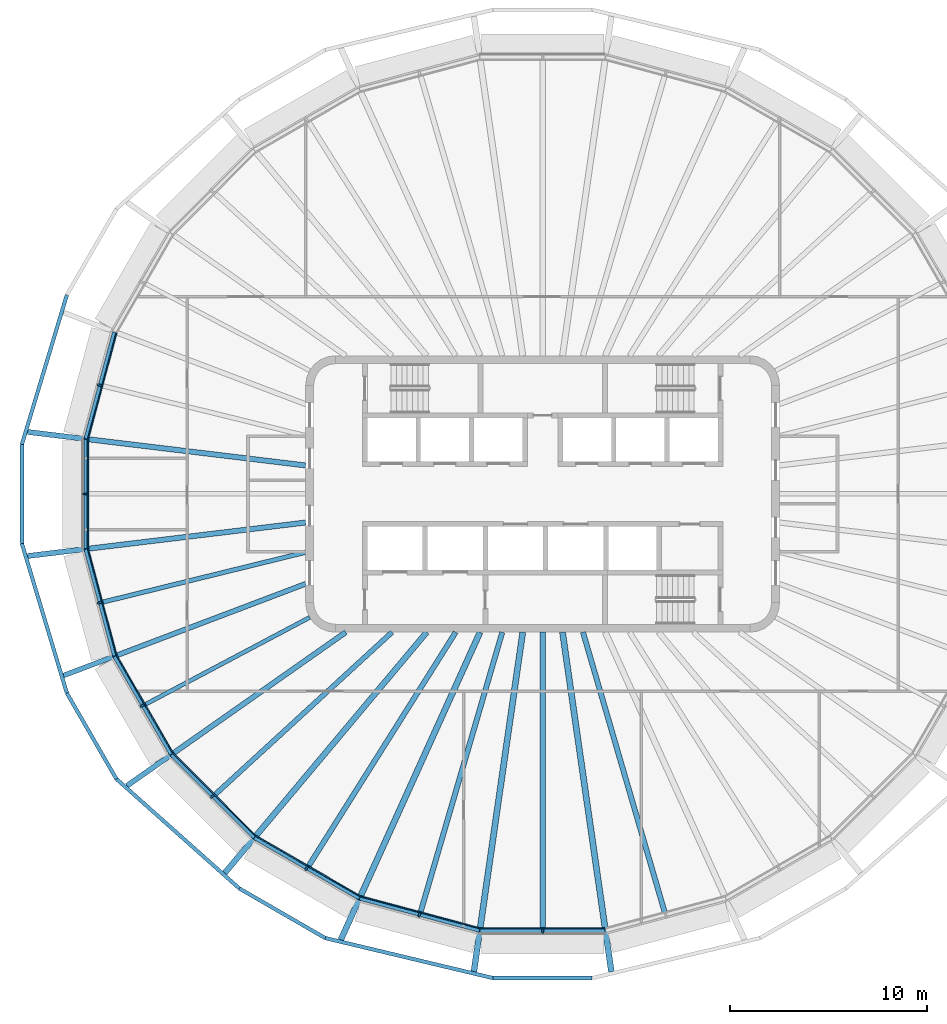
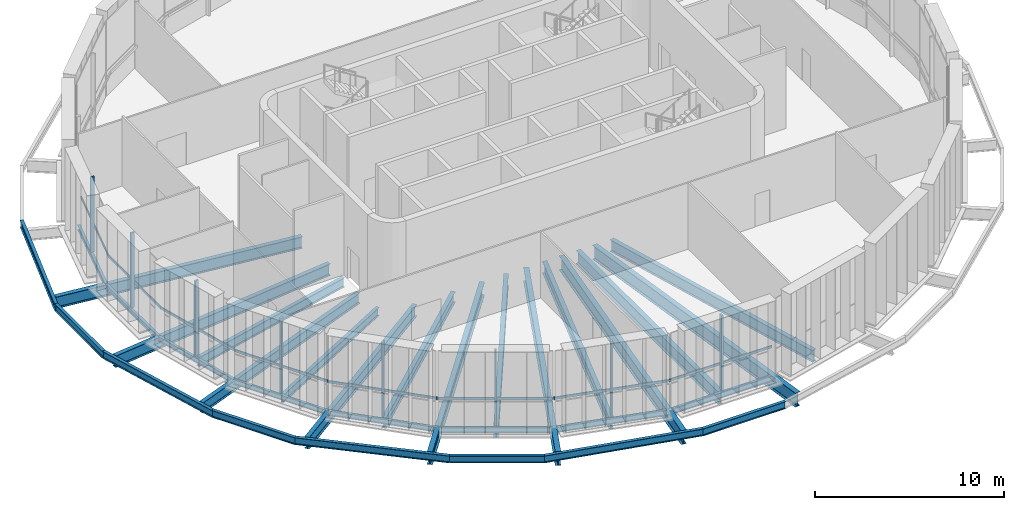
# One storey, part 1 of 16: 31 beams, 16 members, 8 elements without a shape of their own.
"""IFC4 building model written with IfcOpenShell, lengths in metres."""

import ifcopenshell
import ifcopenshell.guid

model = None  # the IFC model being written
_history = None  # IfcOwnerHistory: only IFC2X3 demands one
_inside = {}  # id of a spatial element -> (the spatial element, [elements in it])
_under = {}  # id of a project, library or spatial element -> (it, [spatial elements below it])
_declared = {}  # id of a project -> (the project, [libraries it declares])
_typed = {}  # id of a type object -> (the type object, [elements of that type])
_made_of = {}  # id of a material, layer set ... -> (it, [elements and type objects made of it])


def new_model(schema):
    """Start an empty IFC model of exactly this schema.

    Asked for "IFC4X3", IfcOpenShell would pick the latest addendum, in which some entities
    have other attributes; the version numbers below select the first issue.
    IFC2X3 requires an IfcOwnerHistory on every rooted entity: one is made here for all.
    """
    global model, _history
    if schema == "IFC4X3":
        model = ifcopenshell.file(schema_version=(4, 3, 0, 0))
    else:
        model = ifcopenshell.file(schema=schema)
    _inside.clear()
    _under.clear()
    _declared.clear()
    _typed.clear()
    _made_of.clear()
    _history = None
    if model.schema == "IFC2X3":
        org = make("IfcOrganization", Name="unknown")
        user = make(
            "IfcPersonAndOrganization",
            ThePerson=make("IfcPerson", FamilyName="unknown"),
            TheOrganization=org,
        )
        app = make(
            "IfcApplication",
            ApplicationDeveloper=org,
            Version="unknown",
            ApplicationFullName="unknown",
            ApplicationIdentifier="unknown",
        )
        _history = make(
            "IfcOwnerHistory",
            OwningUser=user,
            OwningApplication=app,
            ChangeAction="ADDED",
            CreationDate=0,
        )
    return model


def make(cls, **values):
    """One entity of the class cls with the attributes given. An attribute that is None is left unset."""
    return model.create_entity(
        cls, **{name: value for name, value in values.items() if value is not None}
    )


def rooted(cls, **values):
    """An entity with a GlobalId (a new one), such as an element, a storey or a relation."""
    return make(cls, GlobalId=ifcopenshell.guid.new(), OwnerHistory=_history, **values)


def si_unit(unit_type, name, prefix=None):
    """IfcSIUnit, for example si_unit("LENGTHUNIT", "METRE", prefix="MILLI")."""
    return make("IfcSIUnit", UnitType=unit_type, Prefix=prefix, Name=name)


def assignment(units):
    """IfcUnitAssignment: the units of a project."""
    return None if units is None else make("IfcUnitAssignment", Units=units)


def point(xyz):
    """IfcCartesianPoint."""
    return None if xyz is None else make("IfcCartesianPoint", Coordinates=xyz)


def direction(xyz):
    """IfcDirection."""
    return None if xyz is None else make("IfcDirection", DirectionRatios=xyz)


def frame(location, z_axis=None, x_axis=None):
    """IfcAxis2Placement3D, a coordinate frame: its origin and axes. An axis left out is left unset."""
    return make(
        "IfcAxis2Placement3D",
        Location=point(location),
        Axis=direction(z_axis),
        RefDirection=direction(x_axis),
    )


def frame_2d(location, x_axis=None):
    """IfcAxis2Placement2D, a coordinate frame in the plane: its origin and x axis."""
    return make(
        "IfcAxis2Placement2D", Location=point(location), RefDirection=direction(x_axis)
    )


def origin():
    """The frame at (0, 0, 0) with its axes left unset."""
    return frame((0.0, 0.0, 0.0))


def origin_2d():
    """The frame at (0, 0) in the plane with its x axis left unset."""
    return frame_2d((0.0, 0.0))


def place(relative_to, where):
    """IfcLocalPlacement: puts the frame where relative to a parent placement (None: the world)."""
    return make(
        "IfcLocalPlacement", PlacementRelTo=relative_to, RelativePlacement=where
    )


def context(
    kind, dimensions, precision=None, world=None, true_north=None, identifier=None
):
    """IfcGeometricRepresentationContext, for example the 3D "Model" context."""
    return make(
        "IfcGeometricRepresentationContext",
        ContextIdentifier=identifier,
        ContextType=kind,
        CoordinateSpaceDimension=dimensions,
        Precision=precision,
        WorldCoordinateSystem=world,
        TrueNorth=true_north,
    )


def subcontext(parent, identifier, kind, view, scale=None):
    """IfcGeometricRepresentationSubContext, for example "Body" below "Model"."""
    return make(
        "IfcGeometricRepresentationSubContext",
        ContextIdentifier=identifier,
        ContextType=kind,
        ParentContext=parent,
        TargetScale=scale,
        TargetView=view,
    )


def project(units=None, contexts=None):
    """IfcProject with its units and contexts."""
    return rooted(
        "IfcProject",
        Name="project",
        RepresentationContexts=contexts,
        UnitsInContext=assignment(units),
    )


def spatial(cls, under=None, at=None, **own):
    """A site, building, storey or space (cls), placed at a placement, below another one or the project."""
    s = rooted(cls, ObjectPlacement=at, **own)
    if under is not None:
        _under.setdefault(under.id(), (under, []))[1].append(s)
    return s


def profile(cls, at=None, kind="AREA", **sizes):
    """A parametric profile (cls). Its sizes go by their IFC names, for example OverallWidth=200.0."""
    return make(cls, ProfileType=kind, Position=at, **sizes)


def rectangle(**sizes):
    """IfcRectangleProfileDef."""
    return profile("IfcRectangleProfileDef", **sizes)


def i_section(**sizes):
    """IfcIShapeProfileDef."""
    return profile("IfcIShapeProfileDef", **sizes)


def extrude(swept, where, along, depth):
    """IfcExtrudedAreaSolid: the profile swept, set in the frame where, extruded along a direction by depth."""
    return make(
        "IfcExtrudedAreaSolid",
        SweptArea=swept,
        Position=where,
        ExtrudedDirection=direction(along),
        Depth=depth,
    )


def shape(context_of_items, identifier, shape_type, items):
    """IfcShapeRepresentation: the items that make up one representation, for example the "Body"."""
    return make(
        "IfcShapeRepresentation",
        ContextOfItems=context_of_items,
        RepresentationIdentifier=identifier,
        RepresentationType=shape_type,
        Items=items,
    )


def material(Name=None, Category=None):
    """IfcMaterial."""
    return make("IfcMaterial", Name=Name, Category=Category)


def layer(
    of_material, thickness, ventilated=None, Name=None, Category=None, Priority=None
):
    """IfcMaterialLayer: one layer of a wall or slab, of a material (None: an air gap)."""
    return make(
        "IfcMaterialLayer",
        Material=of_material,
        LayerThickness=thickness,
        IsVentilated=ventilated,
        Name=Name,
        Category=Category,
        Priority=Priority,
    )


def layer_set(layers, Name=None):
    """IfcMaterialLayerSet."""
    return make("IfcMaterialLayerSet", MaterialLayers=layers, LayerSetName=Name)


def material_profile(
    of_material, cross_section, Name=None, Category=None, Priority=None
):
    """IfcMaterialProfile: a cross section and its material."""
    return make(
        "IfcMaterialProfile",
        Name=Name,
        Material=of_material,
        Profile=cross_section,
        Priority=Priority,
        Category=Category,
    )


def profile_set(profiles, Name=None, composite=None):
    """IfcMaterialProfileSet."""
    return make(
        "IfcMaterialProfileSet",
        Name=Name,
        MaterialProfiles=profiles,
        CompositeProfile=composite,
    )


def made_of(thing, what):
    """Note that an element or type object is made of a material, layer set ...; save() writes the relation."""
    if what is not None:
        _made_of.setdefault(what.id(), (what, []))[1].append(thing)
    return thing


def type_object(cls, material=None, **own):
    """A type object (cls), such as IfcWallType, which elements share."""
    return made_of(rooted(cls, **own), material)


def element(
    cls,
    number,
    at=None,
    inside=None,
    cuts=None,
    type_object=None,
    material=None,
    context=None,
    identifier="Body",
    shape_type=None,
    held_by="IfcProductDefinitionShape",
    body=None,
    shapes=None,
    **own,
):
    """One element of the class cls, such as IfcWall. Its Tag is "e" and its number.

    at: its placement. inside: the storey or other place that contains it. cuts: it is an
    opening in that element (IfcRelVoidsElement). A single representation is given by context,
    identifier, shape_type and body (its items); several are given by shapes. held_by: the class
    of the entity that holds the representations. save() writes the other relations.
    """
    e = rooted(cls, Tag="e%d" % number, ObjectPlacement=at, **own)
    if body is not None:
        shapes = [shape(context, identifier, shape_type, body)]
    if shapes is not None:
        e.Representation = make(held_by, Representations=shapes)
    if inside is not None:
        _inside.setdefault(inside.id(), (inside, []))[1].append(e)
    if cuts is not None:
        rooted(
            "IfcRelVoidsElement", RelatingBuildingElement=cuts, RelatedOpeningElement=e
        )
    if type_object is not None:
        _typed.setdefault(type_object.id(), (type_object, []))[1].append(e)
    return made_of(e, material)


def aggregate(whole, parts):
    """IfcRelAggregates: a whole, such as a stair, and the parts it consists of."""
    return rooted("IfcRelAggregates", RelatingObject=whole, RelatedObjects=parts)


def save(model, path):
    """Write the relations noted so far, then the file.

    IfcRelAggregates (storeys below a building ...), IfcRelContainedInSpatialStructure (elements
    in a storey), IfcRelDefinesByType, IfcRelAssociatesMaterial and IfcRelDeclares: one each for
    every whole, place, type object, material and project.
    """
    for whole, parts in _under.values():
        aggregate(whole, parts)
    for where, things in _inside.values():
        rooted(
            "IfcRelContainedInSpatialStructure",
            RelatedElements=things,
            RelatingStructure=where,
        )
    for kind, things in _typed.values():
        rooted("IfcRelDefinesByType", RelatedObjects=things, RelatingType=kind)
    for what, things in _made_of.values():
        rooted("IfcRelAssociatesMaterial", RelatedObjects=things, RelatingMaterial=what)
    for by, libraries in _declared.values():
        rooted("IfcRelDeclares", RelatingContext=by, RelatedDefinitions=libraries)
    model.write(path)


model = new_model("IFC4")

# Units and contexts
model_context = context("Model", 3, precision=1e-05, world=origin(), true_north=direction((0.0, 1.0)))
body_context = subcontext(model_context, "Body", "Model", "MODEL_VIEW")
ifc_project = project(units=[si_unit("LENGTHUNIT", "METRE"), si_unit("AREAUNIT", "SQUARE_METRE"), si_unit("VOLUMEUNIT", "CUBIC_METRE"), si_unit("PLANEANGLEUNIT", "RADIAN"), si_unit("MASSUNIT", "GRAM", prefix="KILO")], contexts=[model_context])

# Site, building, storey
site_placement = place(None, origin())
site = spatial("IfcSite", under=ifc_project, at=site_placement, CompositionType="ELEMENT")
building_placement = place(site_placement, origin())
building = spatial("IfcBuilding", under=site, at=building_placement, Name="Sahrelin Media Tower", CompositionType="ELEMENT")
storey_placement = place(building_placement, frame((0.0, 0.0, 324.39990234375)))
storey = spatial("IfcBuildingStorey", under=building, at=storey_placement, Name="L72", CompositionType="ELEMENT", Elevation=324.39990234375)

# Beams
ifc_material_1 = material(Name="Steel S355", Category="steel")
ifc_material_profile_1 = material_profile(ifc_material_1, i_section(OverallWidth=0.1650390625, OverallDepth=0.303466796875, WebThickness=0.006103515625, FlangeThickness=0.01025390625, FilletRadius=0.0087890625, at=origin_2d()), Name="UB 305x165x40")
ifc_profile_set_1 = profile_set([ifc_material_profile_1], Name="Steel S355")
beam_type_1 = type_object("IfcBeamType", Name="Edge beam EB2", PredefinedType="BEAM", material=ifc_profile_set_1)
beam_1_placement = place(storey_placement, frame((-14.618896484375, -17.3984375, -0.301513671875), z_axis=(-0.707127398047, 0.707086163725, 0.0), x_axis=(-0.707086163725, -0.707127398047, 0.0)))
element("IfcBeam", 1, at=beam_1_placement, inside=storey, type_object=beam_type_1, Name="Edge beam L72-10", PredefinedType="BEAM", context=body_context, shape_type="SweptSolid", body=[
    extrude(i_section(OverallWidth=0.1650390625, OverallDepth=0.303466796875, WebThickness=0.006103515625, FlangeThickness=0.01025390625, FilletRadius=0.0087890625, at=origin_2d()), origin(), (0.0, 0.0, 1.0), 5.9208984375),
])
beam_2_placement = place(storey_placement, frame((-18.822998046875, -13.18896484375, -0.301513671875), z_axis=(-0.500031155639, 0.86600741532, 0.0), x_axis=(-0.86600741532, -0.500031155639, 0.0)))
element("IfcBeam", 2, at=beam_2_placement, inside=storey, type_object=beam_type_1, Name="Edge beam L72-11", PredefinedType="BEAM", context=body_context, shape_type="SweptSolid", body=[
    extrude(i_section(OverallWidth=0.1650390625, OverallDepth=0.303466796875, WebThickness=0.006103515625, FlangeThickness=0.01025390625, FilletRadius=0.0087890625, at=origin_2d()), origin(), (0.0, 0.0, 1.0), 5.727783203125),
])
beam_3_placement = place(storey_placement, frame((-21.697998046875, -8.2021484375, -0.301513671875), z_axis=(-0.258803734123, 0.965929928724, 0.0), x_axis=(-0.965929928724, -0.258803734123, 0.0)))
element("IfcBeam", 3, at=beam_3_placement, inside=storey, type_object=beam_type_1, Name="Edge beam L72-12", PredefinedType="BEAM", context=body_context, shape_type="SweptSolid", body=[
    extrude(i_section(OverallWidth=0.1650390625, OverallDepth=0.303466796875, WebThickness=0.006103515625, FlangeThickness=0.01025390625, FilletRadius=0.0087890625, at=origin_2d()), origin(), (0.0, 0.0, 1.0), 5.592041015625),
])
beam_4_placement = place(storey_placement, frame((-23.149169921875, -2.77197265625, -0.301513671875), z_axis=(0.0, 1.0, 0.0), x_axis=(-1.0, 0.0, 0.0)))
element("IfcBeam", 4, at=beam_4_placement, inside=storey, type_object=beam_type_1, Name="Edge beam L72-13", PredefinedType="BEAM", context=body_context, shape_type="SweptSolid", body=[
    extrude(i_section(OverallWidth=0.1650390625, OverallDepth=0.303466796875, WebThickness=0.006103515625, FlangeThickness=0.01025390625, FilletRadius=0.0087890625, at=origin_2d()), origin(), (0.0, 0.0, 1.0), 5.5439453125),
])
beam_5_placement = place(storey_placement, frame((-23.145263671875, 2.800537109375, -0.301513671875), z_axis=(0.258803734123, 0.965929928724, 0.0), x_axis=(-0.965929928724, 0.258803734123, 0.0)))
element("IfcBeam", 5, at=beam_5_placement, inside=storey, type_object=beam_type_1, Name="Edge beam L72-14", PredefinedType="BEAM", context=body_context, shape_type="SweptSolid", body=[
    extrude(i_section(OverallWidth=0.1650390625, OverallDepth=0.303466796875, WebThickness=0.006103515625, FlangeThickness=0.01025390625, FilletRadius=0.0087890625, at=origin_2d()), origin(), (0.0, 0.0, 1.0), 5.592041015625),
])
ifc_material_profile_2 = material_profile(ifc_material_1, i_section(OverallWidth=0.17138671875, OverallDepth=0.35498046875, WebThickness=0.00732421875, FlangeThickness=0.011474609375, FilletRadius=0.01025390625, at=origin_2d()), Name="UB 356x171x51")
ifc_profile_set_2 = profile_set([ifc_material_profile_2], Name="Steel S355")
beam_type_2 = type_object("IfcBeamType", Name="Edge beam EB3", PredefinedType="BEAM", material=ifc_profile_set_2)
beam_6_placement = place(storey_placement, frame((3.169921875, -22.118896484375, -0.327392578125), z_axis=(-1.0, 0.0, 0.0), x_axis=(0.0, -1.0, 0.0)))
element("IfcBeam", 6, at=beam_6_placement, inside=storey, type_object=beam_type_2, Name="Edge beam L72-07", PredefinedType="BEAM", context=body_context, shape_type="SweptSolid", body=[
    extrude(i_section(OverallWidth=0.17138671875, OverallDepth=0.35498046875, WebThickness=0.00732421875, FlangeThickness=0.011474609375, FilletRadius=0.01025390625, at=origin_2d()), origin(), (0.0, 0.0, 1.0), 6.33984375),
])
beam_7_placement = place(storey_placement, frame((-3.198486328125, -22.114990234375, -0.327392578125), z_axis=(-0.965931048649, 0.258799554202, 0.0), x_axis=(-0.258799554202, -0.965931048649, 0.0)))
element("IfcBeam", 7, at=beam_7_placement, inside=storey, type_object=beam_type_2, Name="Edge beam L72-08", PredefinedType="BEAM", context=body_context, shape_type="SweptSolid", body=[
    extrude(i_section(OverallWidth=0.17138671875, OverallDepth=0.35498046875, WebThickness=0.00732421875, FlangeThickness=0.011474609375, FilletRadius=0.01025390625, at=origin_2d()), origin(), (0.0, 0.0, 1.0), 6.28076171875),
])
beam_8_placement = place(storey_placement, frame((-9.2919921875, -20.478515625, -0.327392578125), z_axis=(-0.866016979766, 0.500014590545, 0.0), x_axis=(-0.500014590545, -0.866016979766, 0.0)))
element("IfcBeam", 8, at=beam_8_placement, inside=storey, type_object=beam_type_2, Name="Edge beam L72-09", PredefinedType="BEAM", context=body_context, shape_type="SweptSolid", body=[
    extrude(i_section(OverallWidth=0.17138671875, OverallDepth=0.35498046875, WebThickness=0.00732421875, FlangeThickness=0.011474609375, FilletRadius=0.01025390625, at=origin_2d()), origin(), (0.0, 0.0, 1.0), 6.124755859375),
])

# Curtain wall, member
ifc_material_2 = material(Name="Champagne anodised aluminium 6063-T6", Category="aluminium")
ifc_layer = layer(ifc_material_2, 0.14990234375)
ifc_layer_set = layer_set([ifc_layer], Name="Observation curtain wall")
curtain_wall_type = type_object("IfcCurtainWallType", Name="Observation curtain wall", PredefinedType="NOTDEFINED", material=ifc_layer_set)
curtain_wall_1_placement = place(storey_placement, frame((-22.56640625, 5.540283203125, 0.0), z_axis=(0.0, 0.0, 1.0), x_axis=(1.0, 0.0, 0.0)))
curtain_wall_1 = element("IfcCurtainWall", 9, at=curtain_wall_1_placement, inside=storey, type_object=curtain_wall_type, Name="L72:CW:L72-11", PredefinedType="NOTDEFINED")
ifc_material_profile_3 = material_profile(ifc_material_2, rectangle(XDim=0.10009765625, YDim=0.22509765625, at=origin_2d()), Name="Mullion 100x225")
ifc_profile_set_3 = profile_set([ifc_material_profile_3], Name="Champagne anodised aluminium 6063-T6")
member_type_1 = type_object("IfcMemberType", Name="Mullion 100x225 CW3", PredefinedType="MULLION", material=ifc_profile_set_3)
member_1_placement = place(storey_placement, frame((-22.438720703125, 5.505859375, 0.0), z_axis=(0.0, 0.0, 1.0), x_axis=(-0.258815673384, -0.965926729732, 0.0)))
member_1 = element("IfcMember", 10, at=member_1_placement, type_object=member_type_1, Name="L72:CWM:L72-11", PredefinedType="MULLION", context=body_context, shape_type="SweptSolid", body=[
    extrude(rectangle(XDim=0.10009765625, YDim=0.22509765625, at=origin_2d()), origin(), (0.0, 0.0, 1.0), 4.8486328125),
])

curtain_wall_2_placement = place(storey_placement, frame((-23.299072265625, 0.0, 0.0), z_axis=(0.0, 0.0, 1.0), x_axis=(1.0, 0.0, 0.0)))
curtain_wall_2 = element("IfcCurtainWall", 11, at=curtain_wall_2_placement, inside=storey, type_object=curtain_wall_type, Name="L72:CW:L72-12", PredefinedType="NOTDEFINED")
member_2_placement = place(storey_placement, frame((-23.16650390625, 0.0, 0.0), z_axis=(0.0, 0.0, 1.0), x_axis=(0.0, -1.0, 0.0)))
member_2 = element("IfcMember", 12, at=member_2_placement, type_object=member_type_1, Name="L72:CWM:L72-12", PredefinedType="MULLION", context=body_context, shape_type="SweptSolid", body=[
    extrude(rectangle(XDim=0.10009765625, YDim=0.22509765625, at=origin_2d()), origin(), (0.0, 0.0, 1.0), 4.8486328125),
])

curtain_wall_3_placement = place(storey_placement, frame((-22.56640625, -5.540283203125, 0.0), z_axis=(0.0, 0.0, 1.0), x_axis=(1.0, 0.0, 0.0)))
curtain_wall_3 = element("IfcCurtainWall", 13, at=curtain_wall_3_placement, inside=storey, type_object=curtain_wall_type, Name="L72:CW:L72-13", PredefinedType="NOTDEFINED")
member_3_placement = place(storey_placement, frame((-22.438720703125, -5.505859375, 0.0), z_axis=(0.0, 0.0, 1.0), x_axis=(0.258815673384, -0.965926729732, 0.0)))
member_3 = element("IfcMember", 14, at=member_3_placement, type_object=member_type_1, Name="L72:CWM:L72-13", PredefinedType="MULLION", context=body_context, shape_type="SweptSolid", body=[
    extrude(rectangle(XDim=0.10009765625, YDim=0.22509765625, at=origin_2d()), origin(), (0.0, 0.0, 1.0), 4.8486328125),
])

curtain_wall_4_placement = place(storey_placement, frame((-20.385009765625, -10.783935546875, 0.0), z_axis=(0.0, 0.0, 1.0), x_axis=(1.0, 0.0, 0.0)))
curtain_wall_4 = element("IfcCurtainWall", 15, at=curtain_wall_4_placement, inside=storey, type_object=curtain_wall_type, Name="L72:CW:L72-14", PredefinedType="NOTDEFINED")
member_4_placement = place(storey_placement, frame((-20.270263671875, -10.717529296875, 0.0), z_axis=(0.0, 0.0, 1.0), x_axis=(0.500012091947, -0.866018422383, 0.0)))
member_4 = element("IfcMember", 16, at=member_4_placement, type_object=member_type_1, Name="L72:CWM:L72-14", PredefinedType="MULLION", context=body_context, shape_type="SweptSolid", body=[
    extrude(rectangle(XDim=0.10009765625, YDim=0.22509765625, at=origin_2d()), origin(), (0.0, 0.0, 1.0), 4.8486328125),
])

curtain_wall_5_placement = place(storey_placement, frame((-16.818359375, -15.4111328125, 0.0), z_axis=(0.0, 0.0, 1.0), x_axis=(1.0, 0.0, 0.0)))
curtain_wall_5 = element("IfcCurtainWall", 17, at=curtain_wall_5_placement, inside=storey, type_object=curtain_wall_type, Name="L72:CW:L72-15", PredefinedType="NOTDEFINED")
member_5_placement = place(storey_placement, frame((-16.724609375, -15.3173828125, 0.0), z_axis=(0.0, 0.0, 1.0), x_axis=(0.707098142195, -0.707115420073, 0.0)))
member_5 = element("IfcMember", 18, at=member_5_placement, type_object=member_type_1, Name="L72:CWM:L72-15", PredefinedType="MULLION", context=body_context, shape_type="SweptSolid", body=[
    extrude(rectangle(XDim=0.10009765625, YDim=0.22509765625, at=origin_2d()), origin(), (0.0, 0.0, 1.0), 4.8486328125),
])

curtain_wall_6_placement = place(storey_placement, frame((-12.01904296875, -19.0771484375, 0.0), z_axis=(0.0, 0.0, 1.0), x_axis=(1.0, 0.0, 0.0)))
curtain_wall_6 = element("IfcCurtainWall", 19, at=curtain_wall_6_placement, inside=storey, type_object=curtain_wall_type, Name="L72:CW:L72-16", PredefinedType="NOTDEFINED")
member_6_placement = place(storey_placement, frame((-11.952880859375, -18.96240234375, 0.0), z_axis=(0.0, 0.0, 1.0), x_axis=(0.866026276448, -0.4999984885, 0.0)))
member_6 = element("IfcMember", 20, at=member_6_placement, type_object=member_type_1, Name="L72:CWM:L72-16", PredefinedType="MULLION", context=body_context, shape_type="SweptSolid", body=[
    extrude(rectangle(XDim=0.10009765625, YDim=0.22509765625, at=origin_2d()), origin(), (0.0, 0.0, 1.0), 4.8486328125),
])

curtain_wall_7_placement = place(storey_placement, frame((-6.270751953125, -21.447021484375, 0.0), z_axis=(0.0, 0.0, 1.0), x_axis=(1.0, 0.0, 0.0)))
curtain_wall_7 = element("IfcCurtainWall", 21, at=curtain_wall_7_placement, inside=storey, type_object=curtain_wall_type, Name="L72:CW:L72-17", PredefinedType="NOTDEFINED")
member_7_placement = place(storey_placement, frame((-6.236328125, -21.319091796875, 0.0), z_axis=(0.0, 0.0, 1.0), x_axis=(0.965925374563, -0.258820730961, 0.0)))
member_7 = element("IfcMember", 22, at=member_7_placement, type_object=member_type_1, Name="L72:CWM:L72-17", PredefinedType="MULLION", context=body_context, shape_type="SweptSolid", body=[
    extrude(rectangle(XDim=0.10009765625, YDim=0.22509765625, at=origin_2d()), origin(), (0.0, 0.0, 1.0), 4.8486328125),
])

curtain_wall_8_placement = place(storey_placement, frame((0.0, -22.268798828125, 0.0), z_axis=(0.0, 0.0, 1.0), x_axis=(1.0, 0.0, 0.0)))
curtain_wall_8 = element("IfcCurtainWall", 23, at=curtain_wall_8_placement, inside=storey, type_object=curtain_wall_type, Name="L72:CW:L72-18", PredefinedType="NOTDEFINED")
member_8_placement = place(storey_placement, frame((0.0, -22.13623046875, 0.0), z_axis=(0.0, 0.0, 1.0), x_axis=(1.0, 0.0, 0.0)))
member_8 = element("IfcMember", 24, at=member_8_placement, type_object=member_type_1, Name="L72:CWM:L72-18", PredefinedType="MULLION", context=body_context, shape_type="SweptSolid", body=[
    extrude(rectangle(XDim=0.10009765625, YDim=0.22509765625, at=origin_2d()), origin(), (0.0, 0.0, 1.0), 4.8486328125),
])

# Beams
ifc_material_profile_4 = material_profile(ifc_material_1, i_section(OverallWidth=0.291748046875, OverallDepth=0.8349609375, WebThickness=0.013916015625, FlangeThickness=0.018798828125, FilletRadius=0.017822265625, at=origin_2d()), Name="UB 838x292x176")
ifc_profile_set_4 = profile_set([ifc_material_profile_4], Name="Steel S355")
beam_type_3 = type_object("IfcBeamType", Name="Radial primary beam PB10", PredefinedType="BEAM", material=ifc_profile_set_4)
beam_9_placement = place(storey_placement, frame((-5.87060546875, -7.0, -0.5673828125), z_axis=(-0.642597154572, -0.766204213598, 0.0), x_axis=(0.766204213598, -0.642597154572, 0.0)))
element("IfcBeam", 25, at=beam_9_placement, inside=storey, type_object=beam_type_3, Name="Radial beam L72-16", PredefinedType="BEAM", context=body_context, shape_type="SweptSolid", body=[
    extrude(i_section(OverallWidth=0.291748046875, OverallDepth=0.8349609375, WebThickness=0.013916015625, FlangeThickness=0.018798828125, FilletRadius=0.017822265625, at=origin_2d()), origin(), (0.0, 0.0, 1.0), 15.91357421875),
])
ifc_material_profile_5 = material_profile(ifc_material_1, i_section(OverallWidth=0.30322265625, OverallDepth=0.903076171875, WebThickness=0.01513671875, FlangeThickness=0.020263671875, FilletRadius=0.01904296875, at=origin_2d()), Name="UB 914x305x201")
ifc_profile_set_5 = profile_set([ifc_material_profile_5], Name="Steel S355")
beam_type_4 = type_object("IfcBeamType", Name="Radial primary beam PB11", PredefinedType="BEAM", material=ifc_profile_set_5)
beam_10_placement = place(storey_placement, frame((-3.1689453125, -7.0, -0.601318359375), z_axis=(-0.412422382425, -0.910992743371, 0.0), x_axis=(0.910992743371, -0.412422382425, 0.0)))
element("IfcBeam", 26, at=beam_10_placement, inside=storey, type_object=beam_type_4, Name="Radial beam L72-17", PredefinedType="BEAM", context=body_context, shape_type="SweptSolid", body=[
    extrude(i_section(OverallWidth=0.30322265625, OverallDepth=0.903076171875, WebThickness=0.01513671875, FlangeThickness=0.020263671875, FilletRadius=0.01904296875, at=origin_2d()), origin(), (0.0, 0.0, 1.0), 17.10009765625),
])
for number, where, z_axis, x_axis, name in (
    (27, (-1.007080078125, -7.0, -0.601318359375), (-0.142425148838, -0.989805575342, 0.0), (0.989805575342, -0.142425148838, 0.0), "Radial beam L72-18"),
    (28, (1.007080078125, -7.0, -0.601318359375), (0.142425148838, -0.989805575342, 0.0), (0.989805575342, 0.142425148838, 0.0), "Radial beam L72-19"),
):
    element("IfcBeam", number, at=place(storey_placement, frame(where, z_axis=z_axis, x_axis=x_axis)), inside=storey, type_object=beam_type_4, Name=name, PredefinedType="BEAM", context=body_context, shape_type="SweptSolid", body=[
        extrude(i_section(OverallWidth=0.30322265625, OverallDepth=0.903076171875, WebThickness=0.01513671875, FlangeThickness=0.020263671875, FilletRadius=0.01904296875, at=origin_2d()), origin(), (0.0, 0.0, 1.0), 17.364501953125),
    ])
ifc_material_profile_6 = material_profile(ifc_material_1, i_section(OverallWidth=0.2529296875, OverallDepth=0.677978515625, WebThickness=0.01171875, FlangeThickness=0.01611328125, FilletRadius=0.01513671875, at=origin_2d()), Name="UB 686x254x125")
ifc_profile_set_6 = profile_set([ifc_material_profile_6], Name="Steel S355")
beam_type_5 = type_object("IfcBeamType", Name="Radial primary beam PB8", PredefinedType="BEAM", material=ifc_profile_set_6)
beam_11_placement = place(storey_placement, frame((-12.0, -4.547607421875, -0.489013671875), z_axis=(-0.935113928602, -0.354347203368, 0.0), x_axis=(0.354347203368, -0.935113928602, 0.0)))
element("IfcBeam", 29, at=beam_11_placement, inside=storey, type_object=beam_type_5, Name="Radial beam L72-14", PredefinedType="BEAM", context=body_context, shape_type="SweptSolid", body=[
    extrude(i_section(OverallWidth=0.2529296875, OverallDepth=0.677978515625, WebThickness=0.01171875, FlangeThickness=0.01611328125, FilletRadius=0.01513671875, at=origin_2d()), origin(), (0.0, 0.0, 1.0), 13.11279296875),
])
ifc_material_profile_7 = material_profile(ifc_material_1, i_section(OverallWidth=0.26513671875, OverallDepth=0.75390625, WebThickness=0.0126953125, FlangeThickness=0.017578125, FilletRadius=0.0166015625, at=origin_2d()), Name="UB 762x267x147")
ifc_profile_set_7 = profile_set([ifc_material_profile_7], Name="Steel S355")
beam_type_6 = type_object("IfcBeamType", Name="Radial primary beam PB9", PredefinedType="BEAM", material=ifc_profile_set_7)
for number, where, z_axis, x_axis, name in (
    (30, (-12.0, 1.4453125, -0.52685546875), (-0.992825271685, 0.119574160684, 0.0), (-0.119574160684, -0.992825271685, 0.0), "Radial beam L72-12"),
    (31, (-12.0, -1.4453125, -0.52685546875), (-0.992825271685, -0.119574160684, 0.0), (0.119574160684, -0.992825271685, 0.0), "Radial beam L72-13"),
):
    element("IfcBeam", number, at=place(storey_placement, frame(where, z_axis=z_axis, x_axis=x_axis)), inside=storey, type_object=beam_type_6, Name=name, PredefinedType="BEAM", context=body_context, shape_type="SweptSolid", body=[
        extrude(i_section(OverallWidth=0.26513671875, OverallDepth=0.75390625, WebThickness=0.0126953125, FlangeThickness=0.017578125, FilletRadius=0.0166015625, at=origin_2d()), origin(), (0.0, 0.0, 1.0), 14.18408203125),
    ])
beam_12_placement = place(storey_placement, frame((-9.97119140625, -7.0, -0.52685546875), z_axis=(-0.818447487805, -0.574581334283, 0.0), x_axis=(0.574581334283, -0.818447487805, 0.0)))
element("IfcBeam", 32, at=beam_12_placement, inside=storey, type_object=beam_type_6, Name="Radial beam L72-15", PredefinedType="BEAM", context=body_context, shape_type="SweptSolid", body=[
    extrude(i_section(OverallWidth=0.26513671875, OverallDepth=0.75390625, WebThickness=0.0126953125, FlangeThickness=0.017578125, FilletRadius=0.0166015625, at=origin_2d()), origin(), (0.0, 0.0, 1.0), 13.538330078125),
])
ifc_material_profile_8 = material_profile(ifc_material_1, i_section(OverallWidth=0.291748046875, OverallDepth=0.8349609375, WebThickness=0.013916015625, FlangeThickness=0.018798828125, FilletRadius=0.017822265625, at=origin_2d()), Name="UB 838x292x176")
ifc_profile_set_8 = profile_set([ifc_material_profile_8], Name="Steel S355")
beam_type_7 = type_object("IfcBeamType", Name="Radial secondary beam SB10", PredefinedType="BEAM", material=ifc_profile_set_8)
beam_13_placement = place(storey_placement, frame((0.0, -7.0, -0.5673828125), z_axis=(0.0, -1.0, 0.0), x_axis=(1.0, 0.0, 0.0)))
element("IfcBeam", 33, at=beam_13_placement, inside=storey, type_object=beam_type_7, Name="Secondary beam L72-18", PredefinedType="BEAM", context=body_context, shape_type="SweptSolid", body=[
    extrude(i_section(OverallWidth=0.291748046875, OverallDepth=0.8349609375, WebThickness=0.013916015625, FlangeThickness=0.018798828125, FilletRadius=0.017822265625, at=origin_2d()), origin(), (0.0, 0.0, 1.0), 15.032958984375),
])
ifc_material_profile_9 = material_profile(ifc_material_1, i_section(OverallWidth=0.208740234375, OverallDepth=0.5283203125, WebThickness=0.009521484375, FlangeThickness=0.01318359375, FilletRadius=0.0126953125, at=origin_2d()), Name="UB 533x210x82")
ifc_profile_set_9 = profile_set([ifc_material_profile_9], Name="Steel S355")
beam_type_8 = type_object("IfcBeamType", Name="Radial secondary beam SB6", PredefinedType="BEAM", material=ifc_profile_set_9)
beam_14_placement = place(storey_placement, frame((-11.798583984375, -6.250244140625, -0.4140625), z_axis=(-0.883668821173, -0.468112608767, 0.0), x_axis=(0.468112608767, -0.883668821173, 0.0)))
element("IfcBeam", 34, at=beam_14_placement, inside=storey, type_object=beam_type_8, Name="Secondary beam L72-14", PredefinedType="BEAM", context=body_context, shape_type="SweptSolid", body=[
    extrude(i_section(OverallWidth=0.208740234375, OverallDepth=0.5283203125, WebThickness=0.009521484375, FlangeThickness=0.01318359375, FilletRadius=0.0126953125, at=origin_2d()), origin(), (0.0, 0.0, 1.0), 9.476318359375),
])
ifc_material_profile_10 = material_profile(ifc_material_1, i_section(OverallWidth=0.2275390625, OverallDepth=0.6025390625, WebThickness=0.010498046875, FlangeThickness=0.014892578125, FilletRadius=0.0126953125, at=origin_2d()), Name="UB 610x229x101")
ifc_profile_set_10 = profile_set([ifc_material_profile_10], Name="Steel S355")
beam_type_9 = type_object("IfcBeamType", Name="Radial secondary beam SB7", PredefinedType="BEAM", material=ifc_profile_set_10)
beam_15_placement = place(storey_placement, frame((-12.0, -2.949951171875, -0.451171875), z_axis=(-0.971089995685, -0.238713678452, 0.0), x_axis=(0.238713678452, -0.971089995685, 0.0)))
element("IfcBeam", 35, at=beam_15_placement, inside=storey, type_object=beam_type_9, Name="Secondary beam L72-13", PredefinedType="BEAM", context=body_context, shape_type="SweptSolid", body=[
    extrude(i_section(OverallWidth=0.2275390625, OverallDepth=0.6025390625, WebThickness=0.010498046875, FlangeThickness=0.014892578125, FilletRadius=0.0126953125, at=origin_2d()), origin(), (0.0, 0.0, 1.0), 10.646728515625),
])
ifc_material_profile_11 = material_profile(ifc_material_1, i_section(OverallWidth=0.2529296875, OverallDepth=0.677978515625, WebThickness=0.01171875, FlangeThickness=0.01611328125, FilletRadius=0.01513671875, at=origin_2d()), Name="UB 686x254x125")
ifc_profile_set_11 = profile_set([ifc_material_profile_11], Name="Steel S355")
beam_type_10 = type_object("IfcBeamType", Name="Radial secondary beam SB8", PredefinedType="BEAM", material=ifc_profile_set_11)
beam_16_placement = place(storey_placement, frame((-7.627685546875, -7.0, -0.489013671875), z_axis=(-0.736780999389, -0.676131465721, 0.0), x_axis=(0.676131465721, -0.736780999389, 0.0)))
element("IfcBeam", 36, at=beam_16_placement, inside=storey, type_object=beam_type_10, Name="Secondary beam L72-15", PredefinedType="BEAM", context=body_context, shape_type="SweptSolid", body=[
    extrude(i_section(OverallWidth=0.2529296875, OverallDepth=0.677978515625, WebThickness=0.01171875, FlangeThickness=0.01611328125, FilletRadius=0.01513671875, at=origin_2d()), origin(), (0.0, 0.0, 1.0), 12.225341796875),
])
ifc_material_profile_12 = material_profile(ifc_material_1, i_section(OverallWidth=0.26513671875, OverallDepth=0.75390625, WebThickness=0.0126953125, FlangeThickness=0.017578125, FilletRadius=0.0166015625, at=origin_2d()), Name="UB 762x267x147")
ifc_profile_set_12 = profile_set([ifc_material_profile_12], Name="Steel S355")
beam_type_11 = type_object("IfcBeamType", Name="Radial secondary beam SB9", PredefinedType="BEAM", material=ifc_profile_set_12)
beam_17_placement = place(storey_placement, frame((-4.4033203125, -7.0, -0.52685546875), z_axis=(-0.532436450386, -0.846469979562, 0.0), x_axis=(0.846469979562, -0.532436450386, 0.0)))
element("IfcBeam", 37, at=beam_17_placement, inside=storey, type_object=beam_type_11, Name="Secondary beam L72-16", PredefinedType="BEAM", context=body_context, shape_type="SweptSolid", body=[
    extrude(i_section(OverallWidth=0.26513671875, OverallDepth=0.75390625, WebThickness=0.0126953125, FlangeThickness=0.017578125, FilletRadius=0.0166015625, at=origin_2d()), origin(), (0.0, 0.0, 1.0), 14.041259765625),
])
for number, where, z_axis, x_axis, name in (
    (38, (-2.043212890625, -7.0, -0.52685546875), (-0.280209423765, -0.959938893281, 0.0), (0.959938893281, -0.280209423765, 0.0), "Secondary beam L72-17"),
    (39, (2.043212890625, -7.0, -0.52685546875), (0.280209423765, -0.959938893281, 0.0), (0.959938893281, 0.280209423765, 0.0), "Secondary beam L72-19"),
):
    element("IfcBeam", number, at=place(storey_placement, frame(where, z_axis=z_axis, x_axis=x_axis)), inside=storey, type_object=beam_type_11, Name=name, PredefinedType="BEAM", context=body_context, shape_type="SweptSolid", body=[
        extrude(i_section(OverallWidth=0.26513671875, OverallDepth=0.75390625, WebThickness=0.0126953125, FlangeThickness=0.017578125, FilletRadius=0.0166015625, at=origin_2d()), origin(), (0.0, 0.0, 1.0), 14.81689453125),
    ])
ifc_material_profile_13 = material_profile(ifc_material_1, i_section(OverallWidth=0.1904296875, OverallDepth=0.45703125, WebThickness=0.009033203125, FlangeThickness=0.014404296875, FilletRadius=0.01025390625, at=origin_2d()), Name="UB 457x191x74")
ifc_profile_set_13 = profile_set([ifc_material_profile_13], Name="Steel S355")
beam_type_12 = type_object("IfcBeamType", Name="Tie chord TC5", PredefinedType="BEAM", material=ifc_profile_set_13)
beam_18_placement = place(storey_placement, frame((-24.093017578125, 10.086181640625, -0.37841796875), z_axis=(-0.288015832729, -0.957625647159, 0.0), x_axis=(0.957625647159, -0.288015832729, 0.0)))
element("IfcBeam", 40, at=beam_18_placement, inside=storey, type_object=beam_type_12, Name="Tie chord L72-11", PredefinedType="BEAM", context=body_context, shape_type="SweptSolid", body=[
    extrude(i_section(OverallWidth=0.1904296875, OverallDepth=0.45703125, WebThickness=0.009033203125, FlangeThickness=0.014404296875, FilletRadius=0.01025390625, at=origin_2d()), origin(), (0.0, 0.0, 1.0), 7.912841796875),
])
beam_19_placement = place(storey_placement, frame((-26.3720703125, 2.508544921875, -0.37841796875), z_axis=(0.0, -1.0, 0.0), x_axis=(1.0, 0.0, 0.0)))
element("IfcBeam", 41, at=beam_19_placement, inside=storey, type_object=beam_type_12, Name="Tie chord L72-12", PredefinedType="BEAM", context=body_context, shape_type="SweptSolid", body=[
    extrude(i_section(OverallWidth=0.1904296875, OverallDepth=0.45703125, WebThickness=0.009033203125, FlangeThickness=0.014404296875, FilletRadius=0.01025390625, at=origin_2d()), origin(), (0.0, 0.0, 1.0), 5.01708984375),
])
beam_20_placement = place(storey_placement, frame((-26.3720703125, -2.508544921875, -0.37841796875), z_axis=(0.288015832729, -0.957625647159, 0.0), x_axis=(0.957625647159, 0.288015832729, 0.0)))
element("IfcBeam", 42, at=beam_20_placement, inside=storey, type_object=beam_type_12, Name="Tie chord L72-13", PredefinedType="BEAM", context=body_context, shape_type="SweptSolid", body=[
    extrude(i_section(OverallWidth=0.1904296875, OverallDepth=0.45703125, WebThickness=0.009033203125, FlangeThickness=0.014404296875, FilletRadius=0.01025390625, at=origin_2d()), origin(), (0.0, 0.0, 1.0), 7.912841796875),
])
beam_21_placement = place(storey_placement, frame((-24.093017578125, -10.086181640625, -0.37841796875), z_axis=(0.499959752769, -0.866048639287, 0.0), x_axis=(0.866048639287, 0.499959752769, 0.0)))
element("IfcBeam", 43, at=beam_21_placement, inside=storey, type_object=beam_type_12, Name="Tie chord L72-14", PredefinedType="BEAM", context=body_context, shape_type="SweptSolid", body=[
    extrude(i_section(OverallWidth=0.1904296875, OverallDepth=0.45703125, WebThickness=0.009033203125, FlangeThickness=0.014404296875, FilletRadius=0.01025390625, at=origin_2d()), origin(), (0.0, 0.0, 1.0), 5.01708984375),
])
beam_22_placement = place(storey_placement, frame((-21.584716796875, -14.43115234375, -0.37841796875), z_axis=(0.746643186688, -0.665224737793, 0.0), x_axis=(0.665224737793, 0.746643186688, 0.0)))
element("IfcBeam", 44, at=beam_22_placement, inside=storey, type_object=beam_type_12, Name="Tie chord L72-15", PredefinedType="BEAM", context=body_context, shape_type="SweptSolid", body=[
    extrude(i_section(OverallWidth=0.1904296875, OverallDepth=0.45703125, WebThickness=0.009033203125, FlangeThickness=0.014404296875, FilletRadius=0.01025390625, at=origin_2d()), origin(), (0.0, 0.0, 1.0), 8.339111328125),
])
beam_23_placement = place(storey_placement, frame((-15.3583984375, -19.978515625, -0.37841796875), z_axis=(0.866015402684, -0.500017322015, 0.0), x_axis=(0.500017322015, 0.866015402684, 0.0)))
element("IfcBeam", 45, at=beam_23_placement, inside=storey, type_object=beam_type_12, Name="Tie chord L72-16", PredefinedType="BEAM", context=body_context, shape_type="SweptSolid", body=[
    extrude(i_section(OverallWidth=0.1904296875, OverallDepth=0.45703125, WebThickness=0.009033203125, FlangeThickness=0.014404296875, FilletRadius=0.01025390625, at=origin_2d()), origin(), (0.0, 0.0, 1.0), 5.016845703125),
])
beam_24_placement = place(storey_placement, frame((-11.013671875, -22.487060546875, -0.37841796875), z_axis=(0.9726709397, -0.232187947715, 0.0), x_axis=(0.232187947715, 0.9726709397, 0.0)))
element("IfcBeam", 46, at=beam_24_placement, inside=storey, type_object=beam_type_12, Name="Tie chord L72-17", PredefinedType="BEAM", context=body_context, shape_type="SweptSolid", body=[
    extrude(i_section(OverallWidth=0.1904296875, OverallDepth=0.45703125, WebThickness=0.009033203125, FlangeThickness=0.014404296875, FilletRadius=0.01025390625, at=origin_2d()), origin(), (0.0, 0.0, 1.0), 8.744140625),
])
beam_25_placement = place(storey_placement, frame((-2.508544921875, -24.517333984375, -0.37841796875), z_axis=(1.0, 0.0, 0.0), x_axis=(0.0, 1.0, 0.0)))
element("IfcBeam", 47, at=beam_25_placement, inside=storey, type_object=beam_type_12, Name="Tie chord L72-18", PredefinedType="BEAM", context=body_context, shape_type="SweptSolid", body=[
    extrude(i_section(OverallWidth=0.1904296875, OverallDepth=0.45703125, WebThickness=0.009033203125, FlangeThickness=0.014404296875, FilletRadius=0.01025390625, at=origin_2d()), origin(), (0.0, 0.0, 1.0), 5.01708984375),
])

# Member
ifc_material_profile_14 = material_profile(ifc_material_2, rectangle(XDim=0.06005859375, YDim=0.159912109375, at=origin_2d()), Name="Transom 60x160")
ifc_profile_set_14 = profile_set([ifc_material_profile_14], Name="Champagne anodised aluminium 6063-T6")
member_type_2 = type_object("IfcMemberType", Name="Transom 60x160 CW3", PredefinedType="USERDEFINED", material=ifc_profile_set_14)
member_9_placement = place(storey_placement, frame((-21.581298828125, 8.154541015625, 1.60009765625), z_axis=(-0.258812893194, -0.965927474667, 0.0), x_axis=(0.965927474667, -0.258812893194, 0.0)))
member_9 = element("IfcMember", 48, at=member_9_placement, type_object=member_type_2, Name="L72:CWT:L72-11", ObjectType="TRANSOM", PredefinedType="USERDEFINED", context=body_context, shape_type="SweptSolid", body=[
    extrude(rectangle(XDim=0.06005859375, YDim=0.159912109375, at=origin_2d()), origin(), (0.0, 0.0, 1.0), 5.560791015625),
])

aggregate(curtain_wall_1, [member_1, member_9])

member_10_placement = place(storey_placement, frame((-23.024169921875, 2.756103515625, 1.60009765625), z_axis=(0.0, -1.0, 0.0), x_axis=(1.0, 0.0, 0.0)))
member_10 = element("IfcMember", 49, at=member_10_placement, type_object=member_type_2, Name="L72:CWT:L72-12", ObjectType="TRANSOM", PredefinedType="USERDEFINED", context=body_context, shape_type="SweptSolid", body=[
    extrude(rectangle(XDim=0.06005859375, YDim=0.159912109375, at=origin_2d()), origin(), (0.0, 0.0, 1.0), 5.51220703125),
])

aggregate(curtain_wall_2, [member_2, member_10])

member_11_placement = place(storey_placement, frame((-23.0205078125, -2.783203125, 1.60009765625), z_axis=(0.258812893194, -0.965927474667, 0.0), x_axis=(0.965927474667, 0.258812893194, 0.0)))
member_11 = element("IfcMember", 50, at=member_11_placement, type_object=member_type_2, Name="L72:CWT:L72-13", ObjectType="TRANSOM", PredefinedType="USERDEFINED", context=body_context, shape_type="SweptSolid", body=[
    extrude(rectangle(XDim=0.06005859375, YDim=0.159912109375, at=origin_2d()), origin(), (0.0, 0.0, 1.0), 5.560791015625),
])

aggregate(curtain_wall_3, [member_3, member_11])

member_12_placement = place(storey_placement, frame((-21.57080078125, -8.179931640625, 1.60009765625), z_axis=(0.500020502941, -0.866013566082, 0.0), x_axis=(0.866013566082, 0.500020502941, 0.0)))
member_12 = element("IfcMember", 51, at=member_12_placement, type_object=member_type_2, Name="L72:CWT:L72-14", ObjectType="TRANSOM", PredefinedType="USERDEFINED", context=body_context, shape_type="SweptSolid", body=[
    extrude(rectangle(XDim=0.06005859375, YDim=0.159912109375, at=origin_2d()), origin(), (0.0, 0.0, 1.0), 5.696044921875),
])

aggregate(curtain_wall_4, [member_4, member_12])

member_13_placement = place(storey_placement, frame((-18.7060546875, -13.134521484375, 1.60009765625), z_axis=(0.707086053731, -0.707127508034, 0.0), x_axis=(0.707127508034, 0.707086053731, 0.0)))
member_13 = element("IfcMember", 52, at=member_13_placement, type_object=member_type_2, Name="L72:CWT:L72-15", ObjectType="TRANSOM", PredefinedType="USERDEFINED", context=body_context, shape_type="SweptSolid", body=[
    extrude(rectangle(XDim=0.06005859375, YDim=0.159912109375, at=origin_2d()), origin(), (0.0, 0.0, 1.0), 5.889404296875),
])

aggregate(curtain_wall_5, [member_5, member_13])

member_14_placement = place(storey_placement, frame((-14.52001953125, -17.315673828125, 1.60009765625), z_axis=(0.866022779063, -0.500004546124, 0.0), x_axis=(0.500004546124, 0.866022779063, 0.0)))
member_14 = element("IfcMember", 53, at=member_14_placement, type_object=member_type_2, Name="L72:CWT:L72-16", ObjectType="TRANSOM", PredefinedType="USERDEFINED", context=body_context, shape_type="SweptSolid", body=[
    extrude(rectangle(XDim=0.06005859375, YDim=0.159912109375, at=origin_2d()), origin(), (0.0, 0.0, 1.0), 6.09326171875),
])

aggregate(curtain_wall_6, [member_6, member_14])

member_15_placement = place(storey_placement, frame((-9.2177734375, -20.372802734375, 1.60009765625), z_axis=(0.9659288707, -0.25880768294, 0.0), x_axis=(0.25880768294, 0.9659288707, 0.0)))
member_15 = element("IfcMember", 54, at=member_15_placement, type_object=member_type_2, Name="L72:CWT:L72-17", ObjectType="TRANSOM", PredefinedType="USERDEFINED", context=body_context, shape_type="SweptSolid", body=[
    extrude(rectangle(XDim=0.06005859375, YDim=0.159912109375, at=origin_2d()), origin(), (0.0, 0.0, 1.0), 6.24951171875),
])

aggregate(curtain_wall_7, [member_7, member_15])

member_16_placement = place(storey_placement, frame((-3.154052734375, -21.993896484375, 1.60009765625), z_axis=(1.0, 0.0, 0.0), x_axis=(0.0, 1.0, 0.0)))
member_16 = element("IfcMember", 55, at=member_16_placement, type_object=member_type_2, Name="L72:CWT:L72-18", ObjectType="TRANSOM", PredefinedType="USERDEFINED", context=body_context, shape_type="SweptSolid", body=[
    extrude(rectangle(XDim=0.06005859375, YDim=0.159912109375, at=origin_2d()), origin(), (0.0, 0.0, 1.0), 6.30810546875),
])

aggregate(curtain_wall_8, [member_8, member_16])

save(model, "model.ifc")
